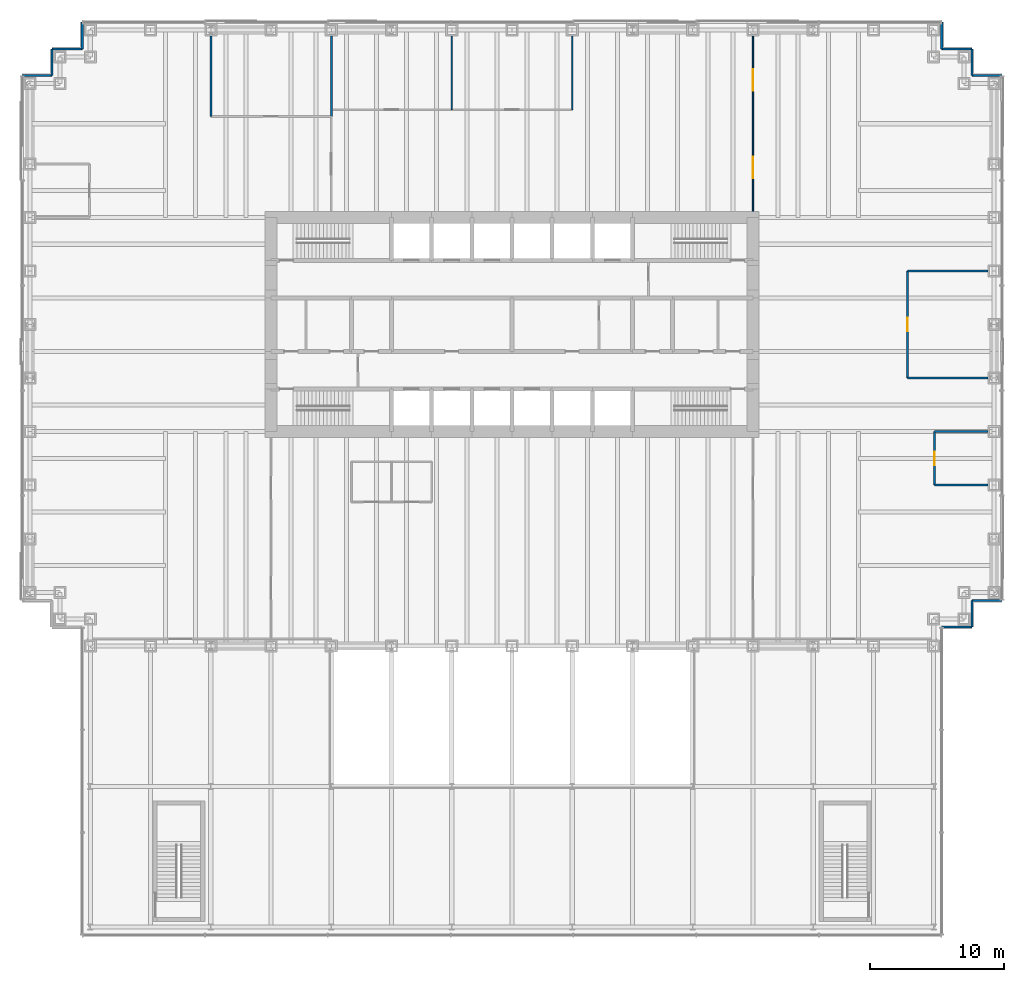
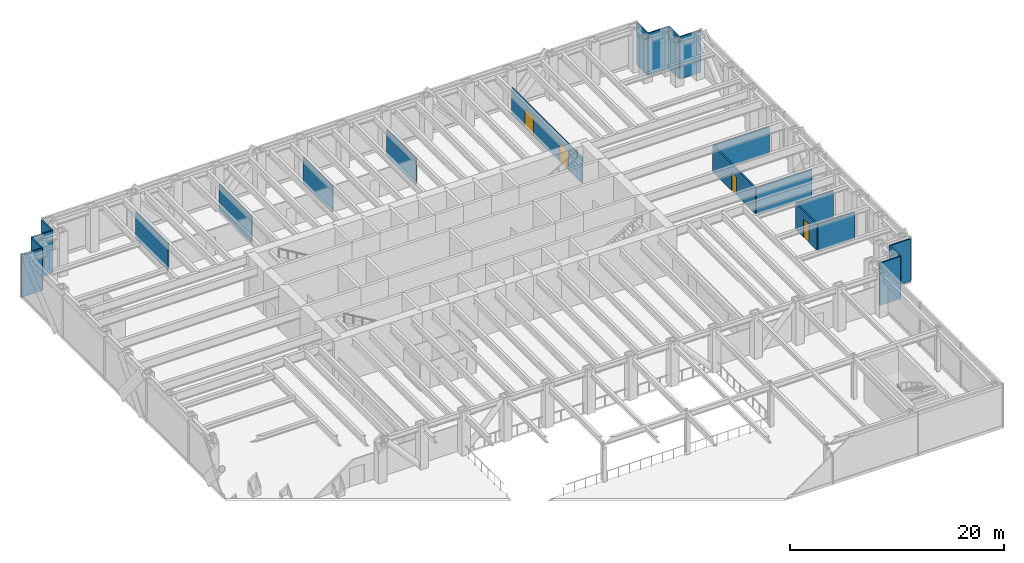
# One storey, part 15 of 17: 22 walls, 4 doors, 4 openings.
"""IFC4 building model written with IfcOpenShell, lengths in metres."""

from ifc_helpers import new_model, si_unit, direction, frame, frame_2d, origin, place, context, subcontext, project, spatial, rectangle, extrude, material, layer, layer_set, type_object, element, fill, save


model = new_model("IFC4")

# Units and contexts
model_context = context("Model", 3, precision=1e-05, world=origin(), true_north=direction((0.0, 1.0)))
body_context = subcontext(model_context, "Body", "Model", "MODEL_VIEW")
ifc_project = project(units=[si_unit("LENGTHUNIT", "METRE"), si_unit("AREAUNIT", "SQUARE_METRE"), si_unit("VOLUMEUNIT", "CUBIC_METRE"), si_unit("PLANEANGLEUNIT", "RADIAN"), si_unit("MASSUNIT", "GRAM", prefix="KILO")], contexts=[model_context])

# Site, building, storey
site_placement = place(None, origin())
site = spatial("IfcSite", under=ifc_project, at=site_placement, CompositionType="ELEMENT")
building_placement = place(site_placement, origin())
building = spatial("IfcBuilding", under=site, at=building_placement, Name="Rheinbord Bourse Tower", CompositionType="ELEMENT")
storey_placement = place(building_placement, frame((0.0, 0.0, 18.0)))
storey = spatial("IfcBuildingStorey", under=building, at=storey_placement, Name="L03", CompositionType="ELEMENT", Elevation=18.0)

# Walls
ifc_material_1 = material(Name="Black metal rainscreen panel", Category="aluminium")
ifc_layer_1 = layer(ifc_material_1, 0.14990234375)
ifc_layer_set_1 = layer_set([ifc_layer_1], Name="CORNER PIER CLADDING 150")
wall_type_1 = type_object("IfcWallType", Name="CORNER PIER CLADDING 150", PredefinedType="ELEMENTEDWALL", material=ifc_layer_set_1)
wall_1_placement = place(storey_placement, frame((68.10009765625, 1.39990234375, 0.0), z_axis=(0.0, 0.0, 1.0), x_axis=(1.0, 0.0, 0.0)))
element("IfcWall", 1, at=wall_1_placement, inside=storey, type_object=wall_type_1, Name="Corner pier cladding L03 3", PredefinedType="ELEMENTEDWALL", context=body_context, shape_type="SweptSolid", body=[
    extrude(rectangle(XDim=2.25, YDim=0.14990234375, at=frame_2d((1.125, 0.0))), origin(), (0.0, 0.0, 1.0), 4.820068359375),
])
wall_2_placement = place(storey_placement, frame((70.35009765625, 1.39990234375, 0.0), z_axis=(0.0, 0.0, 1.0), x_axis=(0.0, 1.0, 0.0)))
element("IfcWall", 2, at=wall_2_placement, inside=storey, type_object=wall_type_1, Name="Corner pier cladding L03 4", PredefinedType="ELEMENTEDWALL", context=body_context, shape_type="SweptSolid", body=[
    extrude(rectangle(XDim=2.0, YDim=0.14990234375, at=frame_2d((1.0, 0.0))), origin(), (0.0, 0.0, 1.0), 4.820068359375),
])
for number, where, z_axis, x_axis, name in (
    (3, (70.35009765625, 3.39990234375, 0.0), (0.0, 0.0, 1.0), (1.0, 0.0, 0.0), "Corner pier cladding L03 5"),
    (4, (72.60009765625, 42.60009765625, 0.0), (0.0, 0.0, 1.0), (-1.0, 0.0, 0.0), "Corner pier cladding L03 7"),
):
    element("IfcWall", number, at=place(storey_placement, frame(where, z_axis=z_axis, x_axis=x_axis)), inside=storey, type_object=wall_type_1, Name=name, PredefinedType="ELEMENTEDWALL", context=body_context, shape_type="SweptSolid", body=[
        extrude(rectangle(XDim=2.25, YDim=0.14990234375, at=frame_2d((1.125, 0.0))), origin(), (0.0, 0.0, 1.0), 4.820068359375),
    ])
wall_3_placement = place(storey_placement, frame((70.35009765625, 42.60009765625, 0.0), z_axis=(0.0, 0.0, 1.0), x_axis=(0.0, 1.0, 0.0)))
element("IfcWall", 5, at=wall_3_placement, inside=storey, type_object=wall_type_1, Name="Corner pier cladding L03 8", PredefinedType="ELEMENTEDWALL", context=body_context, shape_type="SweptSolid", body=[
    extrude(rectangle(XDim=2.0, YDim=0.14990234375, at=frame_2d((1.0, 0.0))), origin(), (0.0, 0.0, 1.0), 4.820068359375),
])
wall_4_placement = place(storey_placement, frame((70.35009765625, 44.60009765625, 0.0), z_axis=(0.0, 0.0, 1.0), x_axis=(-1.0, 0.0, 0.0)))
element("IfcWall", 6, at=wall_4_placement, inside=storey, type_object=wall_type_1, Name="Corner pier cladding L03 9", PredefinedType="ELEMENTEDWALL", context=body_context, shape_type="SweptSolid", body=[
    extrude(rectangle(XDim=2.25, YDim=0.14990234375, at=frame_2d((1.125, 0.0))), origin(), (0.0, 0.0, 1.0), 4.820068359375),
])
for number, where, z_axis, x_axis, name in (
    (7, (68.10009765625, 44.60009765625, 0.0), (0.0, 0.0, 1.0), (0.0, 1.0, 0.0), "Corner pier cladding L03 10"),
    (8, (3.89990234375, 46.60009765625, 0.0), (0.0, 0.0, 1.0), (0.0, -1.0, 0.0), "Corner pier cladding L03 12"),
):
    element("IfcWall", number, at=place(storey_placement, frame(where, z_axis=z_axis, x_axis=x_axis)), inside=storey, type_object=wall_type_1, Name=name, PredefinedType="ELEMENTEDWALL", context=body_context, shape_type="SweptSolid", body=[
        extrude(rectangle(XDim=2.0, YDim=0.14990234375, at=frame_2d((1.0, 0.0))), origin(), (0.0, 0.0, 1.0), 4.820068359375),
    ])
wall_5_placement = place(storey_placement, frame((3.89990234375, 44.60009765625, 0.0), z_axis=(0.0, 0.0, 1.0), x_axis=(-1.0, 0.0, 0.0)))
element("IfcWall", 9, at=wall_5_placement, inside=storey, type_object=wall_type_1, Name="Corner pier cladding L03 13", PredefinedType="ELEMENTEDWALL", context=body_context, shape_type="SweptSolid", body=[
    extrude(rectangle(XDim=2.25, YDim=0.14990234375, at=frame_2d((1.125, 0.0))), origin(), (0.0, 0.0, 1.0), 4.820068359375),
])
wall_6_placement = place(storey_placement, frame((1.64990234375, 44.60009765625, 0.0), z_axis=(0.0, 0.0, 1.0), x_axis=(0.0, -1.0, 0.0)))
element("IfcWall", 10, at=wall_6_placement, inside=storey, type_object=wall_type_1, Name="Corner pier cladding L03 14", PredefinedType="ELEMENTEDWALL", context=body_context, shape_type="SweptSolid", body=[
    extrude(rectangle(XDim=2.0, YDim=0.14990234375, at=frame_2d((1.0, 0.0))), origin(), (0.0, 0.0, 1.0), 4.820068359375),
])
wall_7_placement = place(storey_placement, frame((1.64990234375, 42.60009765625, 0.0), z_axis=(0.0, 0.0, 1.0), x_axis=(-1.0, 0.0, 0.0)))
element("IfcWall", 11, at=wall_7_placement, inside=storey, type_object=wall_type_1, Name="Corner pier cladding L03 15", PredefinedType="ELEMENTEDWALL", context=body_context, shape_type="SweptSolid", body=[
    extrude(rectangle(XDim=2.25, YDim=0.14990234375, at=frame_2d((1.125, 0.0))), origin(), (0.0, 0.0, 1.0), 4.820068359375),
])
ifc_material_2 = material(Name="Gypsum board fire partition", Category="gypsum board")
ifc_layer_2 = layer(ifc_material_2, 0.14990234375)
ifc_layer_set_2 = layer_set([ifc_layer_2], Name="FIRE PARTITION 150 EI60")
wall_type_2 = type_object("IfcWallType", Name="FIRE PARTITION 150 EI60", PredefinedType="PARTITIONING", material=ifc_layer_set_2)
for number, where, z_axis, x_axis, name in (
    (12, (67.550048828125, 12.0, 0.0), (0.0, 0.0, 1.0), (1.0, 0.0, 0.0), "Partition L03-02"),
    (13, (67.550048828125, 16.0, 0.0), (0.0, 0.0, 1.0), (1.0, 0.0, 0.0), "Partition L03-04"),
):
    element("IfcWall", number, at=place(storey_placement, frame(where, z_axis=z_axis, x_axis=x_axis)), inside=storey, type_object=wall_type_2, Name=name, PredefinedType="PARTITIONING", context=body_context, shape_type="SweptSolid", body=[
        extrude(rectangle(XDim=4.0, YDim=0.14990234375, at=frame_2d((2.0, 0.0))), origin(), (0.0, 0.0, 1.0), 3.0),
    ])

# Wall, opening, door
wall_8_placement = place(storey_placement, frame((67.550048828125, 12.0, 0.0), z_axis=(0.0, 0.0, 1.0), x_axis=(0.0, 1.0, 0.0)))
wall_8 = element("IfcWall", 14, at=wall_8_placement, inside=storey, type_object=wall_type_2, Name="Partition L03-24", PredefinedType="PARTITIONING", context=body_context, shape_type="SweptSolid", body=[
    extrude(rectangle(XDim=4.0, YDim=0.14990234375, at=frame_2d((2.0, 0.0))), origin(), (0.0, 0.0, 1.0), 3.0),
])
opening_1_placement = place(wall_8_placement, frame((1.5, 0.0, 0.0)))
opening_1 = element("IfcOpeningElement", 15, at=opening_1_placement, cuts=wall_8, Name="Opening 03D03", PredefinedType="OPENING", context=body_context, shape_type="SweptSolid", body=[
    extrude(rectangle(XDim=1.0, YDim=2.10009765625, at=frame_2d((0.5, 1.050048828125))), frame((0.0, 0.0849609375, 0.0), z_axis=(0.0, -1.0, 0.0), x_axis=(1.0, 0.0, 0.0)), (0.0, 0.0, 1.0), 0.169921875),
])
ifc_material_3 = material(Name="Timber fire door", Category="wood")
door_type_1 = type_object("IfcDoorType", Name="FIRE DOOR 1000 EI60", OperationType="SINGLE_SWING_LEFT", PredefinedType="DOOR", material=ifc_material_3)
door_1_placement = place(opening_1_placement, origin())
door_1 = element("IfcDoor", 16, at=door_1_placement, inside=storey, type_object=door_type_1, Name="Comms room door L03", OperationType="SINGLE_SWING_LEFT", OverallHeight=2.10009765625, OverallWidth=1.0, PredefinedType="DOOR", context=body_context, shape_type="SweptSolid", body=[
    extrude(rectangle(XDim=1.0, YDim=2.10009765625, at=frame_2d((0.5, 1.050048828125))), frame((0.0, 0.02490234375, 0.0), z_axis=(0.0, -1.0, 0.0), x_axis=(1.0, 0.0, 0.0)), (0.0, 0.0, 1.0), 0.050048828125),
])
fill(opening_1, door_1)

# Walls
ifc_material_4 = material(Name="Toughened laminated glass partition", Category="glass")
ifc_layer_3 = layer(ifc_material_4, 0.10009765625)
ifc_layer_set_3 = layer_set([ifc_layer_3], Name="GLAZED PARTITION 100")
wall_type_3 = type_object("IfcWallType", Name="GLAZED PARTITION 100", PredefinedType="PARTITIONING", material=ifc_layer_set_3)
for number, where, z_axis, x_axis, name in (
    (17, (31.5, 40.050048828125, 0.0), (0.0, 0.0, 1.0), (0.0, 1.0, 0.0), "Partition L03-19"),
    (18, (40.5, 40.050048828125, 0.0), (0.0, 0.0, 1.0), (0.0, 1.0, 0.0), "Partition L03-20"),
):
    element("IfcWall", number, at=place(storey_placement, frame(where, z_axis=z_axis, x_axis=x_axis)), inside=storey, type_object=wall_type_3, Name=name, PredefinedType="PARTITIONING", context=body_context, shape_type="SweptSolid", body=[
        extrude(rectangle(XDim=5.5, YDim=0.10009765625, at=frame_2d((2.75, 0.0))), origin(), (0.0, 0.0, 1.0), 3.0),
    ])

# Wall, openings, doors
wall_9_placement = place(storey_placement, frame((54.0, 32.449951171875, 0.0), z_axis=(0.0, 0.0, 1.0), x_axis=(0.0, 1.0, 0.0)))
wall_9 = element("IfcWall", 19, at=wall_9_placement, inside=storey, type_object=wall_type_3, Name="Partition L03-22", PredefinedType="PARTITIONING", context=body_context, shape_type="SweptSolid", body=[
    extrude(rectangle(XDim=13.10009765625, YDim=0.10009765625, at=frame_2d((6.550048828125, 0.0))), origin(), (0.0, 0.0, 1.0), 3.0),
])
opening_2_placement = place(wall_9_placement, frame((2.47509765625, 0.0, 0.0)))
opening_2 = element("IfcOpeningElement", 20, at=opening_2_placement, cuts=wall_9, Name="Opening 03D14", PredefinedType="OPENING", context=body_context, shape_type="SweptSolid", body=[
    extrude(rectangle(XDim=1.60009765625, YDim=2.10009765625, at=frame_2d((0.800048828125, 1.050048828125))), frame((0.0, 0.06005859375, 0.0), z_axis=(0.0, -1.0, 0.0), x_axis=(1.0, 0.0, 0.0)), (0.0, 0.0, 1.0), 0.1201171875),
])
opening_3_placement = place(wall_9_placement, frame((9.02490234375, 0.0, 0.0)))
opening_3 = element("IfcOpeningElement", 21, at=opening_3_placement, cuts=wall_9, Name="Opening 03D15", PredefinedType="OPENING", context=body_context, shape_type="SweptSolid", body=[
    extrude(rectangle(XDim=1.60009765625, YDim=2.10009765625, at=frame_2d((0.800048828125, 1.050048828125))), frame((0.0, 0.06005859375, 0.0), z_axis=(0.0, -1.0, 0.0), x_axis=(1.0, 0.0, 0.0)), (0.0, 0.0, 1.0), 0.1201171875),
])
ifc_material_5 = material(Name="Timber door", Category="wood")
door_type_2 = type_object("IfcDoorType", Name="DOUBLE ROOM DOOR 1600", OperationType="DOUBLE_DOOR_DOUBLE_SWING", PredefinedType="DOOR", material=ifc_material_5)
door_2_placement = place(opening_2_placement, origin())
door_2 = element("IfcDoor", 22, at=door_2_placement, inside=storey, type_object=door_type_2, Name="Open area door L03", OperationType="SINGLE_SWING_LEFT", OverallHeight=2.10009765625, OverallWidth=1.60009765625, PredefinedType="DOOR", context=body_context, shape_type="SweptSolid", body=[
    extrude(rectangle(XDim=1.60009765625, YDim=2.10009765625, at=frame_2d((0.800048828125, 1.050048828125))), frame((0.0, 0.02490234375, 0.0), z_axis=(0.0, -1.0, 0.0), x_axis=(1.0, 0.0, 0.0)), (0.0, 0.0, 1.0), 0.050048828125),
])
fill(opening_2, door_2)
door_3_placement = place(opening_3_placement, origin())
door_3 = element("IfcDoor", 23, at=door_3_placement, inside=storey, type_object=door_type_2, Name="Open area door L03", OperationType="SINGLE_SWING_LEFT", OverallHeight=2.10009765625, OverallWidth=1.60009765625, PredefinedType="DOOR", context=body_context, shape_type="SweptSolid", body=[
    extrude(rectangle(XDim=1.60009765625, YDim=2.10009765625, at=frame_2d((0.800048828125, 1.050048828125))), frame((0.0, 0.02490234375, 0.0), z_axis=(0.0, -1.0, 0.0), x_axis=(1.0, 0.0, 0.0)), (0.0, 0.0, 1.0), 0.050048828125),
])
fill(opening_3, door_3)

# Walls
ifc_material_6 = material(Name="Gypsum board partition", Category="gypsum board")
ifc_layer_4 = layer(ifc_material_6, 0.14990234375)
ifc_layer_set_4 = layer_set([ifc_layer_4], Name="PARTITION 150")
wall_type_4 = type_object("IfcWallType", Name="PARTITION 150", PredefinedType="PARTITIONING", material=ifc_layer_set_4)
for number, where, z_axis, x_axis, name in (
    (24, (65.550048828125, 20.0, 0.0), (0.0, 0.0, 1.0), (1.0, 0.0, 0.0), "Partition L03-05"),
    (25, (65.550048828125, 28.0, 0.0), (0.0, 0.0, 1.0), (1.0, 0.0, 0.0), "Partition L03-06"),
    (26, (13.5, 39.550048828125, 0.0), (0.0, 0.0, 1.0), (0.0, 1.0, 0.0), "Partition L03-12"),
    (27, (22.5, 39.550048828125, 0.0), (0.0, 0.0, 1.0), (0.0, 1.0, 0.0), "Partition L03-15"),
):
    element("IfcWall", number, at=place(storey_placement, frame(where, z_axis=z_axis, x_axis=x_axis)), inside=storey, type_object=wall_type_4, Name=name, PredefinedType="PARTITIONING", context=body_context, shape_type="SweptSolid", body=[
        extrude(rectangle(XDim=6.0, YDim=0.14990234375, at=frame_2d((3.0, 0.0))), origin(), (0.0, 0.0, 1.0), 3.0),
    ])

# Wall, opening, door
wall_10_placement = place(storey_placement, frame((65.550048828125, 20.0, 0.0), z_axis=(0.0, 0.0, 1.0), x_axis=(0.0, 1.0, 0.0)))
wall_10 = element("IfcWall", 28, at=wall_10_placement, inside=storey, type_object=wall_type_4, Name="Partition L03-23", PredefinedType="PARTITIONING", context=body_context, shape_type="SweptSolid", body=[
    extrude(rectangle(XDim=8.0, YDim=0.14990234375, at=frame_2d((4.0, 0.0))), origin(), (0.0, 0.0, 1.0), 3.0),
])
opening_4_placement = place(wall_10_placement, frame((3.5, 0.0, 0.0)))
opening_4 = element("IfcOpeningElement", 29, at=opening_4_placement, cuts=wall_10, Name="Opening 03D04", PredefinedType="OPENING", context=body_context, shape_type="SweptSolid", body=[
    extrude(rectangle(XDim=1.0, YDim=2.10009765625, at=frame_2d((0.5, 1.050048828125))), frame((0.0, 0.0849609375, 0.0), z_axis=(0.0, -1.0, 0.0), x_axis=(1.0, 0.0, 0.0)), (0.0, 0.0, 1.0), 0.169921875),
])
ifc_material_7 = material(Name="Timber door", Category="wood")
door_type_3 = type_object("IfcDoorType", Name="ROOM DOOR 1000", OperationType="SINGLE_SWING_LEFT", PredefinedType="DOOR", material=ifc_material_7)
door_4_placement = place(opening_4_placement, origin())
door_4 = element("IfcDoor", 30, at=door_4_placement, inside=storey, type_object=door_type_3, Name="Pantry door L03", OperationType="SINGLE_SWING_LEFT", OverallHeight=2.10009765625, OverallWidth=1.0, PredefinedType="DOOR", context=body_context, shape_type="SweptSolid", body=[
    extrude(rectangle(XDim=1.0, YDim=2.10009765625, at=frame_2d((0.5, 1.050048828125))), frame((0.0, 0.02490234375, 0.0), z_axis=(0.0, -1.0, 0.0), x_axis=(1.0, 0.0, 0.0)), (0.0, 0.0, 1.0), 0.050048828125),
])
fill(opening_4, door_4)

save(model, "model.ifc")
